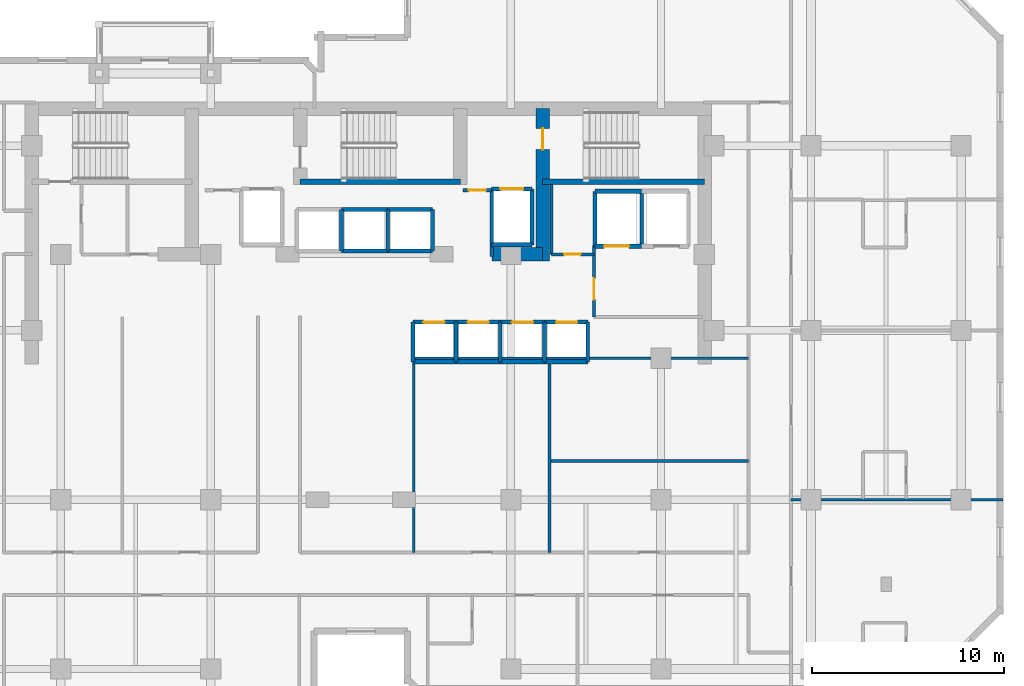
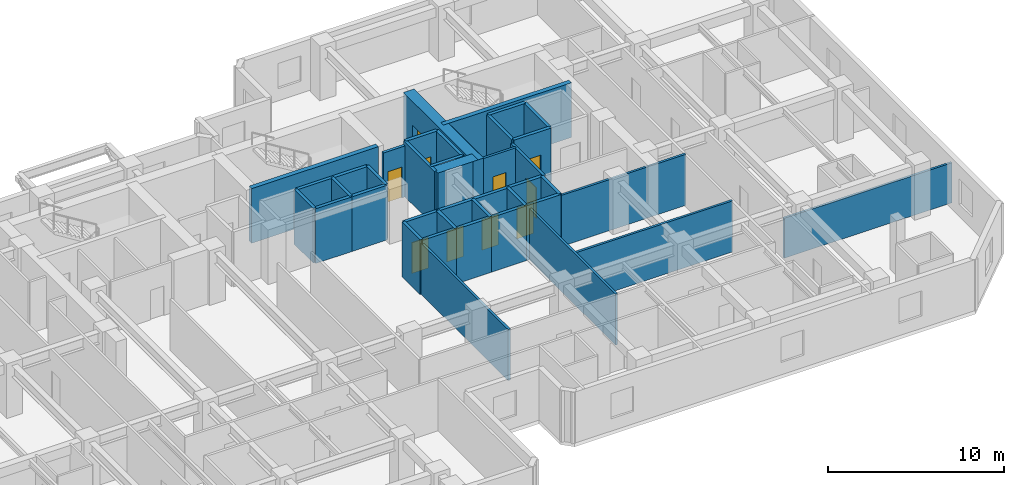
# One storey, part 6 of 9: 41 walls, 10 doors, 10 openings.
"""IFC4 building model written with IfcOpenShell, lengths in metres."""

from ifc_helpers import new_model, si_unit, direction, frame, frame_2d, origin, place, context, subcontext, project, spatial, rectangle, extrude, material, layer, layer_set, type_object, element, fill, save


model = new_model("IFC4")

# Units and contexts
model_context = context("Model", 3, precision=1e-05, world=origin(), true_north=direction((0.0, 1.0)))
body_context = subcontext(model_context, "Body", "Model", "MODEL_VIEW")
ifc_project = project(units=[si_unit("LENGTHUNIT", "METRE"), si_unit("AREAUNIT", "SQUARE_METRE"), si_unit("VOLUMEUNIT", "CUBIC_METRE"), si_unit("PLANEANGLEUNIT", "RADIAN"), si_unit("MASSUNIT", "GRAM", prefix="KILO")], contexts=[model_context])

# Site, building, storey
site_placement = place(None, origin())
site = spatial("IfcSite", under=ifc_project, at=site_placement, CompositionType="ELEMENT")
building_placement = place(site_placement, origin())
building = spatial("IfcBuilding", under=site, at=building_placement, Name="Kestravale Grand Hotel", CompositionType="ELEMENT")
storey_placement = place(building_placement, frame((0.0, 0.0, 176.39990234375)))
storey = spatial("IfcBuildingStorey", under=building, at=storey_placement, Name="L44", CompositionType="ELEMENT", Elevation=176.39990234375)

# Wall
ifc_material_1 = material(Name="Concrete f'c 60 MPa", Category="concrete")
ifc_layer_1 = layer(ifc_material_1, 0.699951171875)
ifc_layer_set_1 = layer_set([ifc_layer_1], Name="EW-CORE-700")
wall_type_1 = type_object("IfcWallType", Name="EW-CORE-700", PredefinedType="SHEAR", material=ifc_layer_set_1)
wall_1_placement = place(storey_placement, frame((45.81005859375, 32.75, 0.0), z_axis=(0.0, 0.0, 1.0), x_axis=(1.0, 0.0, 0.0)))
element("IfcWall", 1, at=wall_1_placement, inside=storey, type_object=wall_type_1, Name="L44 core shear wall S2", PredefinedType="SHEAR", context=body_context, shape_type="SweptSolid", body=[
    extrude(rectangle(XDim=2.639892578125, YDim=0.699951171875, at=frame_2d((1.31982421875, 0.0))), origin(), (0.0, 0.0, 1.0), 3.800048828125),
])

# Wall, opening, door
wall_2_placement = place(storey_placement, frame((48.449951171875, 32.39990234375, 0.0), z_axis=(0.0, 0.0, 1.0), x_axis=(0.0, 1.0, 0.0)))
wall_2 = element("IfcWall", 2, at=wall_2_placement, inside=storey, type_object=wall_type_1, Name="L44 core shear wall X4", PredefinedType="SHEAR", context=body_context, shape_type="SweptSolid", body=[
    extrude(rectangle(XDim=7.920166015625, YDim=0.699951171875, at=frame_2d((3.9599609375, 0.0))), origin(), (0.0, 0.0, 1.0), 3.800048828125),
])
opening_1_placement = place(wall_2_placement, frame((5.800048828125, 0.0, 0.0)))
opening_1 = element("IfcOpeningElement", 3, at=opening_1_placement, cuts=wall_2, Name="Opening D-ST-1100", PredefinedType="OPENING", context=body_context, shape_type="SweptSolid", body=[
    extrude(rectangle(XDim=1.10009765625, YDim=2.14990234375, at=frame_2d((0.550048828125, 1.074951171875))), frame((0.0, 0.35986328125, 0.0), z_axis=(0.0, -1.0, 0.0), x_axis=(1.0, 0.0, 0.0)), (0.0, 0.0, 1.0), 0.719970703125),
])
ifc_material_2 = material(Name="Galvanised 90-minute fire-rated steel stair door", Category="steel")
door_type_1 = type_object("IfcDoorType", Name="D-ST-1100", OperationType="NOTDEFINED", PredefinedType="DOOR", material=ifc_material_2)
door_1_placement = place(opening_1_placement, origin())
door_1 = element("IfcDoor", 4, at=door_1_placement, inside=storey, type_object=door_type_1, Name="L44 Stair ST-3 FSAE fire door", OperationType="SINGLE_SWING_RIGHT", OverallHeight=2.14990234375, OverallWidth=1.10009765625, PredefinedType="DOOR", context=body_context, shape_type="SweptSolid", body=[
    extrude(rectangle(XDim=1.10009765625, YDim=2.14990234375, at=frame_2d((0.550048828125, 1.074951171875))), frame((0.0, 0.02490234375, 0.0), z_axis=(0.0, -1.0, 0.0), x_axis=(1.0, 0.0, 0.0)), (0.0, 0.0, 1.0), 0.050048828125),
])
fill(opening_1, door_1)

# Walls
ifc_material_3 = material(Name="Concrete f'c 45 MPa", Category="concrete")
ifc_layer_2 = layer(ifc_material_3, 0.300048828125)
ifc_layer_set_2 = layer_set([ifc_layer_2], Name="EW-STAIR-300")
wall_type_2 = type_object("IfcWallType", Name="EW-STAIR-300", PredefinedType="SHEAR", material=ifc_layer_set_2)
wall_3_placement = place(storey_placement, frame((35.85009765625, 36.52001953125, 0.0), z_axis=(0.0, 0.0, 1.0), x_axis=(1.0, 0.0, 0.0)))
element("IfcWall", 5, at=wall_3_placement, inside=storey, type_object=wall_type_2, Name="L44 stair enclosure shear wall SST2", PredefinedType="SHEAR", context=body_context, shape_type="SweptSolid", body=[
    extrude(rectangle(XDim=8.329833984375, YDim=0.300048828125, at=frame_2d((4.1650390625, 0.0))), origin(), (0.0, 0.0, 1.0), 3.800048828125),
])
wall_4_placement = place(storey_placement, frame((48.449951171875, 36.52001953125, 0.0), z_axis=(0.0, 0.0, 1.0), x_axis=(1.0, 0.0, 0.0)))
element("IfcWall", 6, at=wall_4_placement, inside=storey, type_object=wall_type_2, Name="L44 stair enclosure shear wall SST3", PredefinedType="SHEAR", context=body_context, shape_type="SweptSolid", body=[
    extrude(rectangle(XDim=8.420166015625, YDim=0.300048828125, at=frame_2d((4.2099609375, 0.0))), origin(), (0.0, 0.0, 1.0), 3.800048828125),
])

# Wall, opening, door
ifc_material_4 = material(Name="Acoustic fire-rated gypsum board partition", Category="other")
ifc_layer_3 = layer(ifc_material_4, 0.159912109375)
ifc_layer_set_3 = layer_set([ifc_layer_3], Name="IW-CORR-160")
wall_type_3 = type_object("IfcWallType", Name="IW-CORR-160", PredefinedType="PARTITIONING", material=ifc_layer_set_3)
wall_5_placement = place(storey_placement, frame((51.1201171875, 29.5, 0.0), z_axis=(0.0, 0.0, 1.0), x_axis=(0.0, 1.0, 0.0)))
wall_5 = element("IfcWall", 7, at=wall_5_placement, inside=storey, type_object=wall_type_3, Name="W-L44-SVCLOB-W", PredefinedType="PARTITIONING", context=body_context, shape_type="SweptSolid", body=[
    extrude(rectangle(XDim=3.699951171875, YDim=0.159912109375, at=frame_2d((1.85009765625, 0.0))), origin(), (0.0, 0.0, 1.0), 3.550048828125),
])
opening_2_placement = place(wall_5_placement, frame((0.89990234375, 0.0, 0.0)))
opening_2 = element("IfcOpeningElement", 8, at=opening_2_placement, cuts=wall_5, Name="Opening D-CORR-1100", PredefinedType="OPENING", context=body_context, shape_type="SweptSolid", body=[
    extrude(rectangle(XDim=1.10009765625, YDim=2.14990234375, at=frame_2d((0.550048828125, 1.074951171875))), frame((0.0, 0.08984375, 0.0), z_axis=(0.0, -1.0, 0.0), x_axis=(1.0, 0.0, 0.0)), (0.0, 0.0, 1.0), 0.179931640625),
])
ifc_material_5 = material(Name="Single-leaf service vestibule fire door", Category="steel")
door_type_2 = type_object("IfcDoorType", Name="D-CORR-1100", OperationType="NOTDEFINED", PredefinedType="DOOR", material=ifc_material_5)
door_2_placement = place(opening_2_placement, origin())
door_2 = element("IfcDoor", 9, at=door_2_placement, inside=storey, type_object=door_type_2, Name="L44 service lift lobby door", OperationType="SINGLE_SWING_LEFT", OverallHeight=2.14990234375, OverallWidth=1.10009765625, PredefinedType="DOOR", context=body_context, shape_type="SweptSolid", body=[
    extrude(rectangle(XDim=1.10009765625, YDim=2.14990234375, at=frame_2d((0.550048828125, 1.074951171875))), frame((0.0, 0.02490234375, 0.0), z_axis=(0.0, -1.0, 0.0), x_axis=(1.0, 0.0, 0.0)), (0.0, 0.0, 1.0), 0.050048828125),
])
fill(opening_2, door_2)

wall_6_placement = place(storey_placement, frame((48.919921875, 32.75, 0.0), z_axis=(0.0, 0.0, 1.0), x_axis=(1.0, 0.0, 0.0)))
wall_6 = element("IfcWall", 10, at=wall_6_placement, inside=storey, type_object=wall_type_3, Name="W-L44-CES", PredefinedType="PARTITIONING", context=body_context, shape_type="SweptSolid", body=[
    extrude(rectangle(XDim=2.2001953125, YDim=0.159912109375, at=frame_2d((1.10009765625, 0.0))), origin(), (0.0, 0.0, 1.0), 3.550048828125),
])
opening_3_placement = place(wall_6_placement, frame((0.64990234375, 0.0, 0.0)))
opening_3 = element("IfcOpeningElement", 11, at=opening_3_placement, cuts=wall_6, Name="Opening D-SH-860", PredefinedType="OPENING", context=body_context, shape_type="SweptSolid", body=[
    extrude(rectangle(XDim=0.860107421875, YDim=2.050048828125, at=frame_2d((0.43017578125, 1.02490234375))), frame((0.0, 0.08984375, 0.0), z_axis=(0.0, -1.0, 0.0), x_axis=(1.0, 0.0, 0.0)), (0.0, 0.0, 1.0), 0.179931640625),
])
ifc_material_6 = material(Name="Galvanised 90-minute riser fire door", Category="steel")
door_type_3 = type_object("IfcDoorType", Name="D-SH-860", OperationType="NOTDEFINED", PredefinedType="DOOR", material=ifc_material_6)
door_3_placement = place(opening_3_placement, origin())
door_3 = element("IfcDoor", 12, at=door_3_placement, inside=storey, type_object=door_type_3, Name="L44 CSTO1 door", OperationType="SINGLE_SWING_RIGHT", OverallHeight=2.050048828125, OverallWidth=0.860107421875, PredefinedType="DOOR", context=body_context, shape_type="SweptSolid", body=[
    extrude(rectangle(XDim=0.860107421875, YDim=2.050048828125, at=frame_2d((0.43017578125, 1.02490234375))), frame((0.0, 0.02490234375, 0.0), z_axis=(0.0, -1.0, 0.0), x_axis=(1.0, 0.0, 0.0)), (0.0, 0.0, 1.0), 0.050048828125),
])
fill(opening_3, door_3)

ifc_material_7 = material(Name="Fire-rated gypsum board on steel studs with mineral wool", Category="steel")
ifc_layer_4 = layer(ifc_material_7, 0.179931640625)
ifc_layer_set_4 = layer_set([ifc_layer_4], Name="IW-FSAE-180")
wall_type_4 = type_object("IfcWallType", Name="IW-FSAE-180", PredefinedType="PARTITIONING", material=ifc_layer_set_4)
wall_7_placement = place(storey_placement, frame((44.300048828125, 36.080078125, 0.0), z_axis=(0.0, 0.0, 1.0), x_axis=(1.0, 0.0, 0.0)))
wall_7 = element("IfcWall", 13, at=wall_7_placement, inside=storey, type_object=wall_type_4, Name="L44 FSAE Lobby 2 smoke barrier", PredefinedType="PARTITIONING", context=body_context, shape_type="SweptSolid", body=[
    extrude(rectangle(XDim=1.5, YDim=0.179931640625, at=frame_2d((0.75, 0.0))), origin(), (0.0, 0.0, 1.0), 3.550048828125),
])
opening_4_placement = place(wall_7_placement, frame((0.300048828125, 0.0, 0.0)))
opening_4 = element("IfcOpeningElement", 14, at=opening_4_placement, cuts=wall_7, Name="Opening D-FSAE-1000", PredefinedType="OPENING", context=body_context, shape_type="SweptSolid", body=[
    extrude(rectangle(XDim=0.89990234375, YDim=2.14990234375, at=frame_2d((0.449951171875, 1.074951171875))), frame((0.0, 0.099853515625, 0.0), z_axis=(0.0, -1.0, 0.0), x_axis=(1.0, 0.0, 0.0)), (0.0, 0.0, 1.0), 0.199951171875),
])
ifc_material_8 = material(Name="Smoke-gasketed FSAE lobby fire door", Category="steel")
door_type_4 = type_object("IfcDoorType", Name="D-FSAE-1000", OperationType="NOTDEFINED", PredefinedType="DOOR", material=ifc_material_8)
door_4_placement = place(opening_4_placement, origin())
door_4 = element("IfcDoor", 15, at=door_4_placement, inside=storey, type_object=door_type_4, Name="L44 FSAE Lobby 2 fire door", OperationType="SINGLE_SWING_LEFT", OverallHeight=2.14990234375, OverallWidth=0.89990234375, PredefinedType="DOOR", context=body_context, shape_type="SweptSolid", body=[
    extrude(rectangle(XDim=0.89990234375, YDim=2.14990234375, at=frame_2d((0.449951171875, 1.074951171875))), frame((0.0, 0.02490234375, 0.0), z_axis=(0.0, -1.0, 0.0), x_axis=(1.0, 0.0, 0.0)), (0.0, 0.0, 1.0), 0.050048828125),
])
fill(opening_4, door_4)

# Walls
ifc_material_9 = material(Name="Concrete f'c 45 MPa", Category="concrete")
ifc_layer_5 = layer(ifc_material_9, 0.199951171875)
ifc_layer_set_5 = layer_set([ifc_layer_5], Name="IW-SHAFT-200")
wall_type_5 = type_object("IfcWallType", Name="IW-SHAFT-200", PredefinedType="SHEAR", material=ifc_layer_set_5)
for number, where, z_axis, x_axis, name in (
    (16, (41.705078125, 27.169921875, 0.0), (0.0, 0.0, 1.0), (0.0, 1.0, 0.0), "L44 PL-M1 west shaft wall"),
    (17, (43.949951171875, 27.169921875, 0.0), (0.0, 0.0, 1.0), (0.0, 1.0, 0.0), "L44 PL-M2 west shaft wall"),
    (18, (46.25, 27.169921875, 0.0), (0.0, 0.0, 1.0), (0.0, 1.0, 0.0), "L44 PL-M3 west shaft wall"),
    (19, (48.550048828125, 27.169921875, 0.0), (0.0, 0.0, 1.0), (0.0, 1.0, 0.0), "L44 PL-M4 west shaft wall"),
    (20, (50.794921875, 27.169921875, 0.0), (0.0, 0.0, 1.0), (0.0, 1.0, 0.0), "L44 PL-M4 east shaft wall"),
):
    element("IfcWall", number, at=place(storey_placement, frame(where, z_axis=z_axis, x_axis=x_axis)), inside=storey, type_object=wall_type_5, Name=name, PredefinedType="SHEAR", context=body_context, shape_type="SweptSolid", body=[
        extrude(rectangle(XDim=2.06005859375, YDim=0.199951171875, at=frame_2d((1.030029296875, 0.0))), origin(), (0.0, 0.0, 1.0), 3.800048828125),
    ])
for number, where, z_axis, x_axis, name in (
    (21, (38.0, 32.919921875, 0.0), (0.0, 0.0, 1.0), (0.0, 1.0, 0.0), "L44 PL-X2 west shaft wall"),
    (22, (40.39990234375, 32.919921875, 0.0), (0.0, 0.0, 1.0), (0.0, 1.0, 0.0), "L44 PL-X3 west shaft wall"),
    (23, (42.719970703125, 32.919921875, 0.0), (0.0, 0.0, 1.0), (0.0, 1.0, 0.0), "L44 PL-X3 east shaft wall"),
):
    element("IfcWall", number, at=place(storey_placement, frame(where, z_axis=z_axis, x_axis=x_axis)), inside=storey, type_object=wall_type_5, Name=name, PredefinedType="SHEAR", context=body_context, shape_type="SweptSolid", body=[
        extrude(rectangle(XDim=2.16015625, YDim=0.199951171875, at=frame_2d((1.080078125, 0.0))), origin(), (0.0, 0.0, 1.0), 3.800048828125),
    ])
for number, where, z_axis, x_axis, name in (
    (24, (51.179931640625, 33.169921875, 0.0), (0.0, 0.0, 1.0), (0.0, 1.0, 0.0), "L44 SL-1 west shaft wall"),
    (25, (53.60009765625, 33.169921875, 0.0), (0.0, 0.0, 1.0), (0.0, 1.0, 0.0), "L44 SL-2 west shaft wall"),
):
    element("IfcWall", number, at=place(storey_placement, frame(where, z_axis=z_axis, x_axis=x_axis)), inside=storey, type_object=wall_type_5, Name=name, PredefinedType="SHEAR", context=body_context, shape_type="SweptSolid", body=[
        extrude(rectangle(XDim=2.860107421875, YDim=0.199951171875, at=frame_2d((1.43017578125, 0.0))), origin(), (0.0, 0.0, 1.0), 3.800048828125),
    ])
wall_8_placement = place(storey_placement, frame((45.804931640625, 32.64990234375, 0.0), z_axis=(0.0, 0.0, 1.0), x_axis=(0.0, 1.0, 0.0)))
element("IfcWall", 26, at=wall_8_placement, inside=storey, type_object=wall_type_5, Name="L44 FL-2 west shaft wall", PredefinedType="SHEAR", context=body_context, shape_type="SweptSolid", body=[
    extrude(rectangle(XDim=3.505126953125, YDim=0.199951171875, at=frame_2d((1.75244140625, 0.0))), origin(), (0.0, 0.0, 1.0), 3.800048828125),
])
wall_9_placement = place(storey_placement, frame((47.89501953125, 33.2451171875, 0.0), z_axis=(0.0, 0.0, 1.0), x_axis=(0.0, 1.0, 0.0)))
element("IfcWall", 27, at=wall_9_placement, inside=storey, type_object=wall_type_5, Name="L44 FL-2 east shaft wall", PredefinedType="SHEAR", context=body_context, shape_type="SweptSolid", body=[
    extrude(rectangle(XDim=2.909912109375, YDim=0.199951171875, at=frame_2d((1.455078125, 0.0))), origin(), (0.0, 0.0, 1.0), 3.800048828125),
])

# Wall, opening, door
ifc_material_10 = material(Name="Concrete f'c 45 MPa", Category="concrete")
ifc_layer_6 = layer(ifc_material_10, 0.219970703125)
ifc_layer_set_6 = layer_set([ifc_layer_6], Name="IW-SHAFT-220")
wall_type_6 = type_object("IfcWallType", Name="IW-SHAFT-220", PredefinedType="SHEAR", material=ifc_layer_set_6)
wall_10_placement = place(storey_placement, frame((41.705078125, 29.22998046875, 0.0), z_axis=(0.0, 0.0, 1.0), x_axis=(1.0, 0.0, 0.0)))
wall_10 = element("IfcWall", 28, at=wall_10_placement, inside=storey, type_object=wall_type_6, Name="L44 PL-M1 north shaft wall", PredefinedType="SHEAR", context=body_context, shape_type="SweptSolid", body=[
    extrude(rectangle(XDim=2.244873046875, YDim=0.219970703125, at=frame_2d((1.12255859375, 0.0))), origin(), (0.0, 0.0, 1.0), 3.800048828125),
])
opening_5_placement = place(wall_10_placement, frame((0.544921875, 0.0, 0.0)))
opening_5 = element("IfcOpeningElement", 29, at=opening_5_placement, cuts=wall_10, Name="Opening LD-PAX-1100", PredefinedType="OPENING", context=body_context, shape_type="SweptSolid", body=[
    extrude(rectangle(XDim=1.10009765625, YDim=2.14990234375, at=frame_2d((0.550048828125, 1.074951171875))), frame((0.0, 0.119873046875, 0.0), z_axis=(0.0, -1.0, 0.0), x_axis=(1.0, 0.0, 0.0)), (0.0, 0.0, 1.0), 0.239990234375),
])
ifc_material_11 = material(Name="Champagne-bronze center-opening sliding elevator landing door", Category="steel")
door_type_5 = type_object("IfcDoorType", Name="LD-PAX-1100", OperationType="NOTDEFINED", PredefinedType="DOOR", material=ifc_material_11)
door_5_placement = place(opening_5_placement, origin())
door_5 = element("IfcDoor", 30, at=door_5_placement, inside=storey, type_object=door_type_5, Name="L44 PL-M1 elevator landing sliding door", OperationType="DOUBLE_DOOR_SLIDING", OverallHeight=2.14990234375, OverallWidth=1.10009765625, PredefinedType="DOOR", context=body_context, shape_type="SweptSolid", body=[
    extrude(rectangle(XDim=1.10009765625, YDim=2.14990234375, at=frame_2d((0.550048828125, 1.074951171875))), frame((0.0, 0.02490234375, 0.0), z_axis=(0.0, -1.0, 0.0), x_axis=(1.0, 0.0, 0.0)), (0.0, 0.0, 1.0), 0.050048828125),
])
fill(opening_5, door_5)

# Wall
wall_11_placement = place(storey_placement, frame((41.705078125, 27.169921875, 0.0), z_axis=(0.0, 0.0, 1.0), x_axis=(1.0, 0.0, 0.0)))
element("IfcWall", 31, at=wall_11_placement, inside=storey, type_object=wall_type_6, Name="L44 PL-M1 south shaft wall", PredefinedType="SHEAR", context=body_context, shape_type="SweptSolid", body=[
    extrude(rectangle(XDim=2.244873046875, YDim=0.219970703125, at=frame_2d((1.12255859375, 0.0))), origin(), (0.0, 0.0, 1.0), 3.800048828125),
])

# Wall, opening, door
wall_12_placement = place(storey_placement, frame((43.949951171875, 29.22998046875, 0.0), z_axis=(0.0, 0.0, 1.0), x_axis=(1.0, 0.0, 0.0)))
wall_12 = element("IfcWall", 32, at=wall_12_placement, inside=storey, type_object=wall_type_6, Name="L44 PL-M2 north shaft wall", PredefinedType="SHEAR", context=body_context, shape_type="SweptSolid", body=[
    extrude(rectangle(XDim=2.300048828125, YDim=0.219970703125, at=frame_2d((1.14990234375, 0.0))), origin(), (0.0, 0.0, 1.0), 3.800048828125),
])
opening_6_placement = place(wall_12_placement, frame((0.60009765625, 0.0, 0.0)))
opening_6 = element("IfcOpeningElement", 33, at=opening_6_placement, cuts=wall_12, Name="Opening LD-PAX-1100", PredefinedType="OPENING", context=body_context, shape_type="SweptSolid", body=[
    extrude(rectangle(XDim=1.10009765625, YDim=2.14990234375, at=frame_2d((0.550048828125, 1.074951171875))), frame((0.0, 0.119873046875, 0.0), z_axis=(0.0, -1.0, 0.0), x_axis=(1.0, 0.0, 0.0)), (0.0, 0.0, 1.0), 0.239990234375),
])
door_6_placement = place(opening_6_placement, origin())
door_6 = element("IfcDoor", 34, at=door_6_placement, inside=storey, type_object=door_type_5, Name="L44 PL-M2 elevator landing sliding door", OperationType="DOUBLE_DOOR_SLIDING", OverallHeight=2.14990234375, OverallWidth=1.10009765625, PredefinedType="DOOR", context=body_context, shape_type="SweptSolid", body=[
    extrude(rectangle(XDim=1.10009765625, YDim=2.14990234375, at=frame_2d((0.550048828125, 1.074951171875))), frame((0.0, 0.02490234375, 0.0), z_axis=(0.0, -1.0, 0.0), x_axis=(1.0, 0.0, 0.0)), (0.0, 0.0, 1.0), 0.050048828125),
])
fill(opening_6, door_6)

# Wall
wall_13_placement = place(storey_placement, frame((43.949951171875, 27.169921875, 0.0), z_axis=(0.0, 0.0, 1.0), x_axis=(1.0, 0.0, 0.0)))
element("IfcWall", 35, at=wall_13_placement, inside=storey, type_object=wall_type_6, Name="L44 PL-M2 south shaft wall", PredefinedType="SHEAR", context=body_context, shape_type="SweptSolid", body=[
    extrude(rectangle(XDim=2.300048828125, YDim=0.219970703125, at=frame_2d((1.14990234375, 0.0))), origin(), (0.0, 0.0, 1.0), 3.800048828125),
])

# Wall, opening, door
wall_14_placement = place(storey_placement, frame((46.25, 29.22998046875, 0.0), z_axis=(0.0, 0.0, 1.0), x_axis=(1.0, 0.0, 0.0)))
wall_14 = element("IfcWall", 36, at=wall_14_placement, inside=storey, type_object=wall_type_6, Name="L44 PL-M3 north shaft wall", PredefinedType="SHEAR", context=body_context, shape_type="SweptSolid", body=[
    extrude(rectangle(XDim=2.300048828125, YDim=0.219970703125, at=frame_2d((1.14990234375, 0.0))), origin(), (0.0, 0.0, 1.0), 3.800048828125),
])
opening_7_placement = place(wall_14_placement, frame((0.60009765625, 0.0, 0.0)))
opening_7 = element("IfcOpeningElement", 37, at=opening_7_placement, cuts=wall_14, Name="Opening LD-PAX-1100", PredefinedType="OPENING", context=body_context, shape_type="SweptSolid", body=[
    extrude(rectangle(XDim=1.10009765625, YDim=2.14990234375, at=frame_2d((0.550048828125, 1.074951171875))), frame((0.0, 0.119873046875, 0.0), z_axis=(0.0, -1.0, 0.0), x_axis=(1.0, 0.0, 0.0)), (0.0, 0.0, 1.0), 0.239990234375),
])
door_7_placement = place(opening_7_placement, origin())
door_7 = element("IfcDoor", 38, at=door_7_placement, inside=storey, type_object=door_type_5, Name="L44 PL-M3 elevator landing sliding door", OperationType="DOUBLE_DOOR_SLIDING", OverallHeight=2.14990234375, OverallWidth=1.10009765625, PredefinedType="DOOR", context=body_context, shape_type="SweptSolid", body=[
    extrude(rectangle(XDim=1.10009765625, YDim=2.14990234375, at=frame_2d((0.550048828125, 1.074951171875))), frame((0.0, 0.02490234375, 0.0), z_axis=(0.0, -1.0, 0.0), x_axis=(1.0, 0.0, 0.0)), (0.0, 0.0, 1.0), 0.050048828125),
])
fill(opening_7, door_7)

# Wall
wall_15_placement = place(storey_placement, frame((46.25, 27.169921875, 0.0), z_axis=(0.0, 0.0, 1.0), x_axis=(1.0, 0.0, 0.0)))
element("IfcWall", 39, at=wall_15_placement, inside=storey, type_object=wall_type_6, Name="L44 PL-M3 south shaft wall", PredefinedType="SHEAR", context=body_context, shape_type="SweptSolid", body=[
    extrude(rectangle(XDim=2.300048828125, YDim=0.219970703125, at=frame_2d((1.14990234375, 0.0))), origin(), (0.0, 0.0, 1.0), 3.800048828125),
])

# Wall, opening, door
wall_16_placement = place(storey_placement, frame((48.550048828125, 29.22998046875, 0.0), z_axis=(0.0, 0.0, 1.0), x_axis=(1.0, 0.0, 0.0)))
wall_16 = element("IfcWall", 40, at=wall_16_placement, inside=storey, type_object=wall_type_6, Name="L44 PL-M4 north shaft wall", PredefinedType="SHEAR", context=body_context, shape_type="SweptSolid", body=[
    extrude(rectangle(XDim=2.244873046875, YDim=0.219970703125, at=frame_2d((1.12255859375, 0.0))), origin(), (0.0, 0.0, 1.0), 3.800048828125),
])
opening_8_placement = place(wall_16_placement, frame((0.60009765625, 0.0, 0.0)))
opening_8 = element("IfcOpeningElement", 41, at=opening_8_placement, cuts=wall_16, Name="Opening LD-PAX-1100", PredefinedType="OPENING", context=body_context, shape_type="SweptSolid", body=[
    extrude(rectangle(XDim=1.10009765625, YDim=2.14990234375, at=frame_2d((0.550048828125, 1.074951171875))), frame((0.0, 0.119873046875, 0.0), z_axis=(0.0, -1.0, 0.0), x_axis=(1.0, 0.0, 0.0)), (0.0, 0.0, 1.0), 0.239990234375),
])
door_8_placement = place(opening_8_placement, origin())
door_8 = element("IfcDoor", 42, at=door_8_placement, inside=storey, type_object=door_type_5, Name="L44 PL-M4 elevator landing sliding door", OperationType="DOUBLE_DOOR_SLIDING", OverallHeight=2.14990234375, OverallWidth=1.10009765625, PredefinedType="DOOR", context=body_context, shape_type="SweptSolid", body=[
    extrude(rectangle(XDim=1.10009765625, YDim=2.14990234375, at=frame_2d((0.550048828125, 1.074951171875))), frame((0.0, 0.02490234375, 0.0), z_axis=(0.0, -1.0, 0.0), x_axis=(1.0, 0.0, 0.0)), (0.0, 0.0, 1.0), 0.050048828125),
])
fill(opening_8, door_8)

# Walls
wall_17_placement = place(storey_placement, frame((48.550048828125, 27.169921875, 0.0), z_axis=(0.0, 0.0, 1.0), x_axis=(1.0, 0.0, 0.0)))
element("IfcWall", 43, at=wall_17_placement, inside=storey, type_object=wall_type_6, Name="L44 PL-M4 south shaft wall", PredefinedType="SHEAR", context=body_context, shape_type="SweptSolid", body=[
    extrude(rectangle(XDim=2.244873046875, YDim=0.219970703125, at=frame_2d((1.12255859375, 0.0))), origin(), (0.0, 0.0, 1.0), 3.800048828125),
])
for number, where, z_axis, x_axis, name in (
    (44, (38.0, 35.080078125, 0.0), (0.0, 0.0, 1.0), (1.0, 0.0, 0.0), "L44 PL-X2 north shaft wall"),
    (45, (38.0, 32.919921875, 0.0), (0.0, 0.0, 1.0), (1.0, 0.0, 0.0), "L44 PL-X2 south shaft wall"),
):
    element("IfcWall", number, at=place(storey_placement, frame(where, z_axis=z_axis, x_axis=x_axis)), inside=storey, type_object=wall_type_6, Name=name, PredefinedType="SHEAR", context=body_context, shape_type="SweptSolid", body=[
        extrude(rectangle(XDim=2.39990234375, YDim=0.219970703125, at=frame_2d((1.199951171875, 0.0))), origin(), (0.0, 0.0, 1.0), 3.800048828125),
    ])
for number, where, z_axis, x_axis, name in (
    (46, (40.39990234375, 35.080078125, 0.0), (0.0, 0.0, 1.0), (1.0, 0.0, 0.0), "L44 PL-X3 north shaft wall"),
    (47, (40.39990234375, 32.919921875, 0.0), (0.0, 0.0, 1.0), (1.0, 0.0, 0.0), "L44 PL-X3 south shaft wall"),
):
    element("IfcWall", number, at=place(storey_placement, frame(where, z_axis=z_axis, x_axis=x_axis)), inside=storey, type_object=wall_type_6, Name=name, PredefinedType="SHEAR", context=body_context, shape_type="SweptSolid", body=[
        extrude(rectangle(XDim=2.320068359375, YDim=0.219970703125, at=frame_2d((1.16015625, 0.0))), origin(), (0.0, 0.0, 1.0), 3.800048828125),
    ])
wall_18_placement = place(storey_placement, frame((51.179931640625, 36.030029296875, 0.0), z_axis=(0.0, 0.0, 1.0), x_axis=(1.0, 0.0, 0.0)))
element("IfcWall", 48, at=wall_18_placement, inside=storey, type_object=wall_type_6, Name="L44 SL-1 north shaft wall", PredefinedType="SHEAR", context=body_context, shape_type="SweptSolid", body=[
    extrude(rectangle(XDim=2.420166015625, YDim=0.219970703125, at=frame_2d((1.2099609375, 0.0))), origin(), (0.0, 0.0, 1.0), 3.800048828125),
])

# Wall, opening, door
wall_19_placement = place(storey_placement, frame((51.179931640625, 33.169921875, 0.0), z_axis=(0.0, 0.0, 1.0), x_axis=(1.0, 0.0, 0.0)))
wall_19 = element("IfcWall", 49, at=wall_19_placement, inside=storey, type_object=wall_type_6, Name="L44 SL-1 south shaft wall", PredefinedType="SHEAR", context=body_context, shape_type="SweptSolid", body=[
    extrude(rectangle(XDim=2.420166015625, YDim=0.219970703125, at=frame_2d((1.2099609375, 0.0))), origin(), (0.0, 0.0, 1.0), 3.800048828125),
])
opening_9_placement = place(wall_19_placement, frame((0.469970703125, 0.0, 0.0)))
opening_9 = element("IfcOpeningElement", 50, at=opening_9_placement, cuts=wall_19, Name="Opening LD-SVC-1300", PredefinedType="OPENING", context=body_context, shape_type="SweptSolid", body=[
    extrude(rectangle(XDim=1.300048828125, YDim=2.14990234375, at=frame_2d((0.64990234375, 1.074951171875))), frame((0.0, 0.119873046875, 0.0), z_axis=(0.0, -1.0, 0.0), x_axis=(1.0, 0.0, 0.0)), (0.0, 0.0, 1.0), 0.239990234375),
])
ifc_material_12 = material(Name="Heavy-duty service sliding elevator landing door", Category="steel")
door_type_6 = type_object("IfcDoorType", Name="LD-SVC-1300", OperationType="NOTDEFINED", PredefinedType="DOOR", material=ifc_material_12)
door_9_placement = place(opening_9_placement, origin())
door_9 = element("IfcDoor", 51, at=door_9_placement, inside=storey, type_object=door_type_6, Name="L44 SL-1 elevator landing sliding door", OperationType="DOUBLE_DOOR_SLIDING", OverallHeight=2.14990234375, OverallWidth=1.300048828125, PredefinedType="DOOR", context=body_context, shape_type="SweptSolid", body=[
    extrude(rectangle(XDim=1.300048828125, YDim=2.14990234375, at=frame_2d((0.64990234375, 1.074951171875))), frame((0.0, 0.02490234375, 0.0), z_axis=(0.0, -1.0, 0.0), x_axis=(1.0, 0.0, 0.0)), (0.0, 0.0, 1.0), 0.050048828125),
])
fill(opening_9, door_9)

wall_20_placement = place(storey_placement, frame((45.804931640625, 36.155029296875, 0.0), z_axis=(0.0, 0.0, 1.0), x_axis=(1.0, 0.0, 0.0)))
wall_20 = element("IfcWall", 52, at=wall_20_placement, inside=storey, type_object=wall_type_6, Name="L44 FL-2 north shaft wall", PredefinedType="SHEAR", context=body_context, shape_type="SweptSolid", body=[
    extrude(rectangle(XDim=2.090087890625, YDim=0.219970703125, at=frame_2d((1.044921875, 0.0))), origin(), (0.0, 0.0, 1.0), 3.800048828125),
])
opening_10_placement = place(wall_20_placement, frame((0.445068359375, 0.0, 0.0)))
opening_10 = element("IfcOpeningElement", 53, at=opening_10_placement, cuts=wall_20, Name="Opening LD-FSAE-1200", PredefinedType="OPENING", context=body_context, shape_type="SweptSolid", body=[
    extrude(rectangle(XDim=1.199951171875, YDim=2.14990234375, at=frame_2d((0.60009765625, 1.074951171875))), frame((0.0, 0.119873046875, 0.0), z_axis=(0.0, -1.0, 0.0), x_axis=(1.0, 0.0, 0.0)), (0.0, 0.0, 1.0), 0.239990234375),
])
ifc_material_13 = material(Name="Stainless fire-service sliding elevator landing door", Category="steel")
door_type_7 = type_object("IfcDoorType", Name="LD-FSAE-1200", OperationType="NOTDEFINED", PredefinedType="DOOR", material=ifc_material_13)
door_10_placement = place(opening_10_placement, origin())
door_10 = element("IfcDoor", 54, at=door_10_placement, inside=storey, type_object=door_type_7, Name="L44 FL-2 elevator landing sliding door", OperationType="DOUBLE_DOOR_SLIDING", OverallHeight=2.14990234375, OverallWidth=1.199951171875, PredefinedType="DOOR", context=body_context, shape_type="SweptSolid", body=[
    extrude(rectangle(XDim=1.199951171875, YDim=2.14990234375, at=frame_2d((0.60009765625, 1.074951171875))), frame((0.0, 0.02490234375, 0.0), z_axis=(0.0, -1.0, 0.0), x_axis=(1.0, 0.0, 0.0)), (0.0, 0.0, 1.0), 0.050048828125),
])
fill(opening_10, door_10)

# Walls
wall_21_placement = place(storey_placement, frame((45.804931640625, 33.2451171875, 0.0), z_axis=(0.0, 0.0, 1.0), x_axis=(1.0, 0.0, 0.0)))
element("IfcWall", 55, at=wall_21_placement, inside=storey, type_object=wall_type_6, Name="L44 FL-2 south shaft wall", PredefinedType="SHEAR", context=body_context, shape_type="SweptSolid", body=[
    extrude(rectangle(XDim=2.090087890625, YDim=0.219970703125, at=frame_2d((1.044921875, 0.0))), origin(), (0.0, 0.0, 1.0), 3.800048828125),
])
ifc_material_14 = material(Name="Double-stud STC 52 acoustic demising partition", Category="other")
ifc_layer_7 = layer(ifc_material_14, 0.14990234375)
ifc_layer_set_7 = layer_set([ifc_layer_7], Name="IW-UNIT-150")
wall_type_7 = type_object("IfcWallType", Name="IW-UNIT-150", PredefinedType="PARTITIONING", material=ifc_layer_set_7)
wall_22_placement = place(storey_placement, frame((48.919921875, 32.75, 0.0), z_axis=(0.0, 0.0, 1.0), x_axis=(0.0, 1.0, 0.0)))
element("IfcWall", 56, at=wall_22_placement, inside=storey, type_object=wall_type_7, Name="W-L44-CEW", PredefinedType="PARTITIONING", context=body_context, shape_type="SweptSolid", body=[
    extrude(rectangle(XDim=3.6201171875, YDim=0.14990234375, at=frame_2d((1.81005859375, 0.0))), origin(), (0.0, 0.0, 1.0), 3.550048828125),
])
wall_23_placement = place(storey_placement, frame((41.75, 17.260009765625, 0.0), z_axis=(0.0, 0.0, 1.0), x_axis=(0.0, 1.0, 0.0)))
element("IfcWall", 57, at=wall_23_placement, inside=storey, type_object=wall_type_7, Name="W-L44-RCLE-W", PredefinedType="PARTITIONING", context=body_context, shape_type="SweptSolid", body=[
    extrude(rectangle(XDim=9.909912109375, YDim=0.14990234375, at=frame_2d((4.955078125, 0.0))), origin(), (0.0, 0.0, 1.0), 3.550048828125),
])
wall_24_placement = place(storey_placement, frame((48.800048828125, 17.260009765625, 0.0), z_axis=(0.0, 0.0, 1.0), x_axis=(0.0, 1.0, 0.0)))
element("IfcWall", 58, at=wall_24_placement, inside=storey, type_object=wall_type_7, Name="W-L44-RCLE-M", PredefinedType="PARTITIONING", context=body_context, shape_type="SweptSolid", body=[
    extrude(rectangle(XDim=9.889892578125, YDim=0.14990234375, at=frame_2d((4.94482421875, 0.0))), origin(), (0.0, 0.0, 1.0), 3.550048828125),
])
wall_25_placement = place(storey_placement, frame((41.75, 27.35009765625, 0.0), z_axis=(0.0, 0.0, 1.0), x_axis=(1.0, 0.0, 0.0)))
element("IfcWall", 59, at=wall_25_placement, inside=storey, type_object=wall_type_7, Name="W-L44-RCLE-N", PredefinedType="PARTITIONING", context=body_context, shape_type="SweptSolid", body=[
    extrude(rectangle(XDim=17.389892578125, YDim=0.14990234375, at=frame_2d((8.69482421875, 0.0))), origin(), (0.0, 0.0, 1.0), 3.550048828125),
])
wall_26_placement = place(storey_placement, frame((48.800048828125, 22.02001953125, 0.0), z_axis=(0.0, 0.0, 1.0), x_axis=(1.0, 0.0, 0.0)))
element("IfcWall", 60, at=wall_26_placement, inside=storey, type_object=wall_type_7, Name="W-L44-RCLE-H", PredefinedType="PARTITIONING", context=body_context, shape_type="SweptSolid", body=[
    extrude(rectangle(XDim=10.33984375, YDim=0.14990234375, at=frame_2d((5.169921875, 0.0))), origin(), (0.0, 0.0, 1.0), 3.550048828125),
])
wall_27_placement = place(storey_placement, frame((61.360107421875, 20.0, 0.0), z_axis=(0.0, 0.0, 1.0), x_axis=(1.0, 0.0, 0.0)))
element("IfcWall", 61, at=wall_27_placement, inside=storey, type_object=wall_type_7, Name="W-L44-EW-1", PredefinedType="PARTITIONING", context=body_context, shape_type="SweptSolid", body=[
    extrude(rectangle(XDim=11.019775390625, YDim=0.14990234375, at=frame_2d((5.509765625, 0.0))), origin(), (0.0, 0.0, 1.0), 2.778076171875),
])

save(model, "model.ifc")
